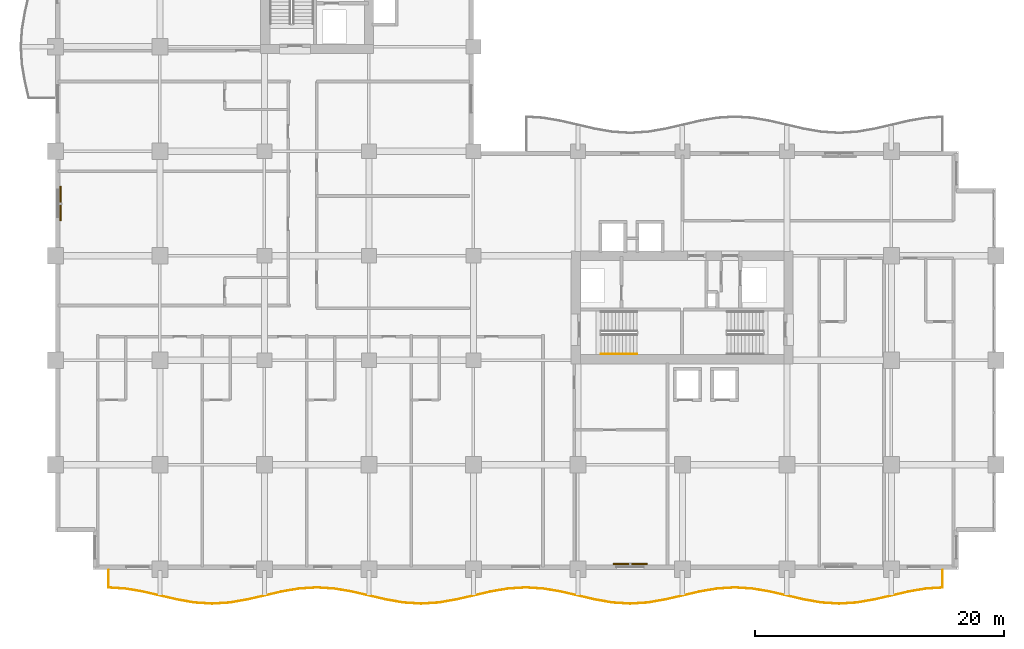
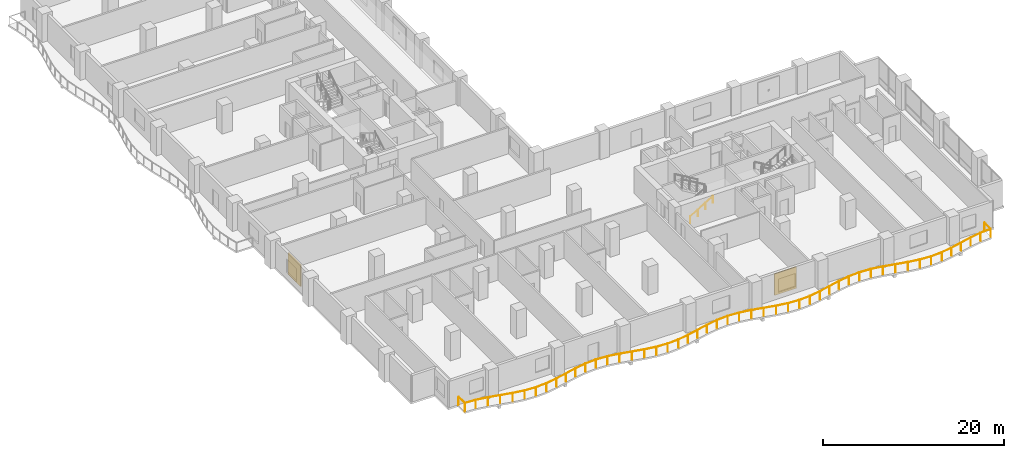
# One storey, part 21 of 24: 2 railings, 2 shading devices.
"""IFC4 building model written with IfcOpenShell, lengths in metres."""

from ifc_helpers import new_model, si_unit, direction, frame, origin, origin_2d, place, context, subcontext, project, spatial, rectangle, circle, extrude, material, layer, layer_set, type_object, element, save


model = new_model("IFC4")

# Units and contexts
model_context = context("Model", 3, precision=1e-05, world=origin(), true_north=direction((0.0, 1.0)))
body_context = subcontext(model_context, "Body", "Model", "MODEL_VIEW")
ifc_project = project(units=[si_unit("LENGTHUNIT", "METRE"), si_unit("AREAUNIT", "SQUARE_METRE"), si_unit("VOLUMEUNIT", "CUBIC_METRE"), si_unit("PLANEANGLEUNIT", "RADIAN"), si_unit("MASSUNIT", "GRAM", prefix="KILO")], contexts=[model_context])

# Site, building, storey
site_placement = place(None, origin())
site = spatial("IfcSite", under=ifc_project, at=site_placement, CompositionType="ELEMENT")
building_placement = place(site_placement, origin())
building = spatial("IfcBuilding", under=site, at=building_placement, Name="Koriwani Terraces Tower", CompositionType="ELEMENT")
storey_placement = place(building_placement, frame((0.0, 0.0, 103.800048828125)))
storey = spatial("IfcBuildingStorey", under=building, at=storey_placement, Name="L24", CompositionType="ELEMENT", Elevation=103.800048828125)

# Railings
ifc_material_1 = material(Name="Steel ASTM A572 Grade 50", Category="steel")
railing_type_1 = type_object("IfcRailingType", Name="GUARD_BALUSTRADE_1150", PredefinedType="BALUSTRADE", material=ifc_material_1)
railing_1_placement = place(storey_placement, frame((4.280029296875, -0.080078125, 0.0)))
element("IfcRailing", 1, at=railing_1_placement, inside=storey, type_object=railing_type_1, Name="L24 Balcony Perimeter Safety Balustrade (S)", PredefinedType="BALUSTRADE", context=body_context, shape_type="SweptSolid", body=[
    extrude(circle(Radius=0.02392578125, at=origin_2d()), frame((0.0, 0.0, 1.1259765625), z_axis=(0.0, -1.0, 0.0), x_axis=(1.0, 0.0, 0.0)), (0.0, 0.0, 1.0), 1.394775390625),
    extrude(circle(Radius=0.02392578125, at=origin_2d()), frame((0.0, -1.394775390625, 1.1259765625), z_axis=(0.998066819565, -0.062150009521, 0.0), x_axis=(0.062150009521, 0.998066819565, 0.0)), (0.0, 0.0, 1.0), 1.331787109375),
    extrude(circle(Radius=0.02392578125, at=origin_2d()), frame((1.3291015625, -1.4775390625, 1.1259765625), z_axis=(0.985866306337, -0.167533954852, 0.0), x_axis=(0.167533954852, 0.985866306337, 0.0)), (0.0, 0.0, 1.0), 1.4267578125),
    extrude(circle(Radius=0.02392578125, at=origin_2d()), frame((2.735595703125, -1.716552734375, 1.1259765625), z_axis=(0.974109892753, -0.226075024805, 0.0), x_axis=(0.226075024805, 0.974109892753, 0.0)), (0.0, 0.0, 1.0), 2.874755859375),
    extrude(circle(Radius=0.02392578125, at=origin_2d()), frame((5.535888671875, -2.366455078125, 1.1259765625), z_axis=(0.985861269125, -0.167563594016, 0.0), x_axis=(0.167563594016, 0.985861269125, 0.0)), (0.0, 0.0, 1.0), 1.413330078125),
    extrude(circle(Radius=0.02392578125, at=origin_2d()), frame((6.92919921875, -2.603271484375, 1.1259765625), z_axis=(0.998075009192, -0.062018352335, 0.0), x_axis=(0.062018352335, 0.998075009192, 0.0)), (0.0, 0.0, 1.0), 1.3935546875),
    extrude(circle(Radius=0.02392578125, at=origin_2d()), frame((8.320068359375, -2.689697265625, 1.1259765625), z_axis=(0.998074335174, 0.062029198499, 0.0), x_axis=(-0.062029198499, 0.998074335174, 0.0)), (0.0, 0.0, 1.0), 1.393310546875),
    extrude(circle(Radius=0.02392578125, at=origin_2d()), frame((9.710693359375, -2.603271484375, 1.1259765625), z_axis=(0.985866118171, 0.167535062128, 0.0), x_axis=(-0.167535062128, 0.985866118171, 0.0)), (0.0, 0.0, 1.0), 1.41357421875),
    extrude(circle(Radius=0.02392578125, at=origin_2d()), frame((11.104248046875, -2.366455078125, 1.1259765625), z_axis=(0.974105551615, 0.226093729043, 0.0), x_axis=(-0.226093729043, 0.974105551615, 0.0)), (0.0, 0.0, 1.0), 2.87451171875),
    extrude(circle(Radius=0.02392578125, at=origin_2d()), frame((13.904296875, -1.716552734375, 1.1259765625), z_axis=(0.985866306337, 0.167533954852, 0.0), x_axis=(-0.167533954852, 0.985866306337, 0.0)), (0.0, 0.0, 1.0), 1.4267578125),
    extrude(circle(Radius=0.02392578125, at=origin_2d()), frame((15.310791015625, -1.4775390625, 1.1259765625), z_axis=(0.9980820707, 0.061904605217, 0.0), x_axis=(-0.061904605217, 0.9980820707, 0.0)), (0.0, 0.0, 1.0), 1.411865234375),
    extrude(circle(Radius=0.02392578125, at=origin_2d()), frame((16.719970703125, -1.39013671875, 1.1259765625), z_axis=(0.9980820707, -0.061904605217, 0.0), x_axis=(0.061904605217, 0.9980820707, 0.0)), (0.0, 0.0, 1.0), 1.411865234375),
    extrude(circle(Radius=0.02392578125, at=origin_2d()), frame((18.129150390625, -1.4775390625, 1.1259765625), z_axis=(0.985866306337, -0.167533954852, 0.0), x_axis=(0.167533954852, 0.985866306337, 0.0)), (0.0, 0.0, 1.0), 1.4267578125),
    extrude(circle(Radius=0.02392578125, at=origin_2d()), frame((19.53564453125, -1.716552734375, 1.1259765625), z_axis=(0.974105551615, -0.226093729043, 0.0), x_axis=(0.226093729043, 0.974105551615, 0.0)), (0.0, 0.0, 1.0), 2.87451171875),
    extrude(circle(Radius=0.02392578125, at=origin_2d()), frame((22.335693359375, -2.366455078125, 1.1259765625), z_axis=(0.985866118171, -0.167535062128, 0.0), x_axis=(0.167535062128, 0.985866118171, 0.0)), (0.0, 0.0, 1.0), 1.41357421875),
    extrude(circle(Radius=0.02392578125, at=origin_2d()), frame((23.729248046875, -2.603271484375, 1.1259765625), z_axis=(0.998074335174, -0.062029198499, 0.0), x_axis=(0.062029198499, 0.998074335174, 0.0)), (0.0, 0.0, 1.0), 1.393310546875),
    extrude(circle(Radius=0.02392578125, at=origin_2d()), frame((25.119873046875, -2.689697265625, 1.1259765625), z_axis=(0.998075009192, 0.062018352335, 0.0), x_axis=(-0.062018352335, 0.998075009192, 0.0)), (0.0, 0.0, 1.0), 1.3935546875),
    extrude(circle(Radius=0.02392578125, at=origin_2d()), frame((26.5107421875, -2.603271484375, 1.1259765625), z_axis=(0.985861269125, 0.167563594016, 0.0), x_axis=(-0.167563594016, 0.985861269125, 0.0)), (0.0, 0.0, 1.0), 1.413330078125),
    extrude(circle(Radius=0.02392578125, at=origin_2d()), frame((27.904052734375, -2.366455078125, 1.1259765625), z_axis=(0.974109892753, 0.226075024805, 0.0), x_axis=(-0.226075024805, 0.974109892753, 0.0)), (0.0, 0.0, 1.0), 2.874755859375),
    extrude(circle(Radius=0.02392578125, at=origin_2d()), frame((30.704345703125, -1.716552734375, 1.1259765625), z_axis=(0.985866306337, 0.167533954852, 0.0), x_axis=(-0.167533954852, 0.985866306337, 0.0)), (0.0, 0.0, 1.0), 1.4267578125),
    extrude(circle(Radius=0.02392578125, at=origin_2d()), frame((32.11083984375, -1.4775390625, 1.1259765625), z_axis=(0.9980820707, 0.061904605217, 0.0), x_axis=(-0.061904605217, 0.9980820707, 0.0)), (0.0, 0.0, 1.0), 1.411865234375),
    extrude(circle(Radius=0.02392578125, at=origin_2d()), frame((33.52001953125, -1.39013671875, 1.1259765625), z_axis=(0.9980820707, -0.061904605217, 0.0), x_axis=(0.061904605217, 0.9980820707, 0.0)), (0.0, 0.0, 1.0), 1.411865234375),
    extrude(circle(Radius=0.02392578125, at=origin_2d()), frame((34.92919921875, -1.4775390625, 1.1259765625), z_axis=(0.985866306337, -0.167533954852, 0.0), x_axis=(0.167533954852, 0.985866306337, 0.0)), (0.0, 0.0, 1.0), 1.4267578125),
    extrude(circle(Radius=0.02392578125, at=origin_2d()), frame((36.335693359375, -1.716552734375, 1.1259765625), z_axis=(0.974105551615, -0.226093729043, 0.0), x_axis=(0.226093729043, 0.974105551615, 0.0)), (0.0, 0.0, 1.0), 2.87451171875),
    extrude(circle(Radius=0.02392578125, at=origin_2d()), frame((39.1357421875, -2.366455078125, 1.1259765625), z_axis=(0.985861269125, -0.167563594016, 0.0), x_axis=(0.167563594016, 0.985861269125, 0.0)), (0.0, 0.0, 1.0), 1.413330078125),
    extrude(circle(Radius=0.02392578125, at=origin_2d()), frame((40.529052734375, -2.603271484375, 1.1259765625), z_axis=(0.998075009192, -0.062018352335, 0.0), x_axis=(0.062018352335, 0.998075009192, 0.0)), (0.0, 0.0, 1.0), 1.3935546875),
    extrude(circle(Radius=0.02392578125, at=origin_2d()), frame((41.919921875, -2.689697265625, 1.1259765625), z_axis=(0.998075009192, 0.062018352335, 0.0), x_axis=(-0.062018352335, 0.998075009192, 0.0)), (0.0, 0.0, 1.0), 1.3935546875),
    extrude(circle(Radius=0.02392578125, at=origin_2d()), frame((43.310791015625, -2.603271484375, 1.1259765625), z_axis=(0.985861269125, 0.167563594016, 0.0), x_axis=(-0.167563594016, 0.985861269125, 0.0)), (0.0, 0.0, 1.0), 1.413330078125),
    extrude(circle(Radius=0.02392578125, at=origin_2d()), frame((44.7041015625, -2.366455078125, 1.1259765625), z_axis=(0.974105551615, 0.226093729043, 0.0), x_axis=(-0.226093729043, 0.974105551615, 0.0)), (0.0, 0.0, 1.0), 2.87451171875),
    extrude(circle(Radius=0.02392578125, at=origin_2d()), frame((47.504150390625, -1.716552734375, 1.1259765625), z_axis=(0.985871108269, 0.16750569507, 0.0), x_axis=(-0.16750569507, 0.985871108269, 0.0)), (0.0, 0.0, 1.0), 1.427001953125),
    extrude(circle(Radius=0.02392578125, at=origin_2d()), frame((48.910888671875, -1.4775390625, 1.1259765625), z_axis=(0.9980820707, 0.061904605217, 0.0), x_axis=(-0.061904605217, 0.9980820707, 0.0)), (0.0, 0.0, 1.0), 1.411865234375),
    extrude(circle(Radius=0.02392578125, at=origin_2d()), frame((50.320068359375, -1.39013671875, 1.1259765625), z_axis=(0.9980820707, -0.061904605217, 0.0), x_axis=(0.061904605217, 0.9980820707, 0.0)), (0.0, 0.0, 1.0), 1.411865234375),
    extrude(circle(Radius=0.02392578125, at=origin_2d()), frame((51.729248046875, -1.4775390625, 1.1259765625), z_axis=(0.985866306337, -0.167533954852, 0.0), x_axis=(0.167533954852, 0.985866306337, 0.0)), (0.0, 0.0, 1.0), 1.4267578125),
    extrude(circle(Radius=0.02392578125, at=origin_2d()), frame((53.1357421875, -1.716552734375, 1.1259765625), z_axis=(0.974105551615, -0.226093729043, 0.0), x_axis=(0.226093729043, 0.974105551615, 0.0)), (0.0, 0.0, 1.0), 2.87451171875),
    extrude(circle(Radius=0.02392578125, at=origin_2d()), frame((55.935791015625, -2.366455078125, 1.1259765625), z_axis=(0.985861269125, -0.167563594016, 0.0), x_axis=(0.167563594016, 0.985861269125, 0.0)), (0.0, 0.0, 1.0), 1.413330078125),
    extrude(circle(Radius=0.02392578125, at=origin_2d()), frame((57.3291015625, -2.603271484375, 1.1259765625), z_axis=(0.998075009192, -0.062018352335, 0.0), x_axis=(0.062018352335, 0.998075009192, 0.0)), (0.0, 0.0, 1.0), 1.3935546875),
    extrude(circle(Radius=0.02392578125, at=origin_2d()), frame((58.719970703125, -2.689697265625, 1.1259765625), z_axis=(0.998075009192, 0.062018352335, 0.0), x_axis=(-0.062018352335, 0.998075009192, 0.0)), (0.0, 0.0, 1.0), 1.3935546875),
    extrude(circle(Radius=0.02392578125, at=origin_2d()), frame((60.11083984375, -2.603271484375, 1.1259765625), z_axis=(0.985861269125, 0.167563594016, 0.0), x_axis=(-0.167563594016, 0.985861269125, 0.0)), (0.0, 0.0, 1.0), 1.413330078125),
    extrude(circle(Radius=0.02392578125, at=origin_2d()), frame((61.504150390625, -2.366455078125, 1.1259765625), z_axis=(0.974105551615, 0.226093729043, 0.0), x_axis=(-0.226093729043, 0.974105551615, 0.0)), (0.0, 0.0, 1.0), 2.87451171875),
    extrude(circle(Radius=0.02392578125, at=origin_2d()), frame((64.30419921875, -1.716552734375, 1.1259765625), z_axis=(0.985866306337, 0.167533954852, 0.0), x_axis=(-0.167533954852, 0.985866306337, 0.0)), (0.0, 0.0, 1.0), 1.4267578125),
    extrude(circle(Radius=0.02392578125, at=origin_2d()), frame((65.710693359375, -1.4775390625, 1.1259765625), z_axis=(0.998067527518, 0.062138639454, 0.0), x_axis=(-0.062138639454, 0.998067527518, 0.0)), (0.0, 0.0, 1.0), 1.33203125),
    extrude(circle(Radius=0.02392578125, at=origin_2d()), frame((67.0400390625, -1.394775390625, 1.1259765625), z_axis=(0.0, 1.0, 0.0), x_axis=(-1.0, 0.0, 0.0)), (0.0, 0.0, 1.0), 1.394775390625),
    extrude(circle(Radius=0.02099609375, at=origin_2d()), origin(), (0.0, 0.0, 1.0), 1.101806640625),
    extrude(circle(Radius=0.02099609375, at=origin_2d()), frame((0.0, -1.394775390625, 0.0)), (0.0, 0.0, 1.0), 1.101806640625),
    extrude(circle(Radius=0.02099609375, at=origin_2d()), frame((1.3291015625, -1.4775390625, 0.0)), (0.0, 0.0, 1.0), 1.101806640625),
    extrude(circle(Radius=0.02099609375, at=origin_2d()), frame((2.735595703125, -1.716552734375, 0.0)), (0.0, 0.0, 1.0), 1.101806640625),
    extrude(circle(Radius=0.02099609375, at=origin_2d()), frame((4.1357421875, -2.04150390625, 0.0)), (0.0, 0.0, 1.0), 1.101806640625),
    extrude(circle(Radius=0.02099609375, at=origin_2d()), frame((5.535888671875, -2.366455078125, 0.0)), (0.0, 0.0, 1.0), 1.101806640625),
    extrude(circle(Radius=0.02099609375, at=origin_2d()), frame((6.92919921875, -2.603271484375, 0.0)), (0.0, 0.0, 1.0), 1.101806640625),
    extrude(circle(Radius=0.02099609375, at=origin_2d()), frame((8.320068359375, -2.689697265625, 0.0)), (0.0, 0.0, 1.0), 1.101806640625),
    extrude(circle(Radius=0.02099609375, at=origin_2d()), frame((9.710693359375, -2.603271484375, 0.0)), (0.0, 0.0, 1.0), 1.101806640625),
    extrude(circle(Radius=0.02099609375, at=origin_2d()), frame((11.104248046875, -2.366455078125, 0.0)), (0.0, 0.0, 1.0), 1.101806640625),
    extrude(circle(Radius=0.02099609375, at=origin_2d()), frame((12.50439453125, -2.04150390625, 0.0)), (0.0, 0.0, 1.0), 1.101806640625),
    extrude(circle(Radius=0.02099609375, at=origin_2d()), frame((13.904296875, -1.716552734375, 0.0)), (0.0, 0.0, 1.0), 1.101806640625),
    extrude(circle(Radius=0.02099609375, at=origin_2d()), frame((15.310791015625, -1.4775390625, 0.0)), (0.0, 0.0, 1.0), 1.101806640625),
    extrude(circle(Radius=0.02099609375, at=origin_2d()), frame((16.719970703125, -1.39013671875, 0.0)), (0.0, 0.0, 1.0), 1.101806640625),
    extrude(circle(Radius=0.02099609375, at=origin_2d()), frame((18.129150390625, -1.4775390625, 0.0)), (0.0, 0.0, 1.0), 1.101806640625),
    extrude(circle(Radius=0.02099609375, at=origin_2d()), frame((19.53564453125, -1.716552734375, 0.0)), (0.0, 0.0, 1.0), 1.101806640625),
    extrude(circle(Radius=0.02099609375, at=origin_2d()), frame((20.935546875, -2.04150390625, 0.0)), (0.0, 0.0, 1.0), 1.101806640625),
    extrude(circle(Radius=0.02099609375, at=origin_2d()), frame((22.335693359375, -2.366455078125, 0.0)), (0.0, 0.0, 1.0), 1.101806640625),
    extrude(circle(Radius=0.02099609375, at=origin_2d()), frame((23.729248046875, -2.603271484375, 0.0)), (0.0, 0.0, 1.0), 1.101806640625),
    extrude(circle(Radius=0.02099609375, at=origin_2d()), frame((25.119873046875, -2.689697265625, 0.0)), (0.0, 0.0, 1.0), 1.101806640625),
    extrude(circle(Radius=0.02099609375, at=origin_2d()), frame((26.5107421875, -2.603271484375, 0.0)), (0.0, 0.0, 1.0), 1.101806640625),
    extrude(circle(Radius=0.02099609375, at=origin_2d()), frame((27.904052734375, -2.366455078125, 0.0)), (0.0, 0.0, 1.0), 1.101806640625),
    extrude(circle(Radius=0.02099609375, at=origin_2d()), frame((29.30419921875, -2.04150390625, 0.0)), (0.0, 0.0, 1.0), 1.101806640625),
    extrude(circle(Radius=0.02099609375, at=origin_2d()), frame((30.704345703125, -1.716552734375, 0.0)), (0.0, 0.0, 1.0), 1.101806640625),
    extrude(circle(Radius=0.02099609375, at=origin_2d()), frame((32.11083984375, -1.4775390625, 0.0)), (0.0, 0.0, 1.0), 1.101806640625),
    extrude(circle(Radius=0.02099609375, at=origin_2d()), frame((33.52001953125, -1.39013671875, 0.0)), (0.0, 0.0, 1.0), 1.101806640625),
    extrude(circle(Radius=0.02099609375, at=origin_2d()), frame((34.92919921875, -1.4775390625, 0.0)), (0.0, 0.0, 1.0), 1.101806640625),
    extrude(circle(Radius=0.02099609375, at=origin_2d()), frame((36.335693359375, -1.716552734375, 0.0)), (0.0, 0.0, 1.0), 1.101806640625),
    extrude(circle(Radius=0.02099609375, at=origin_2d()), frame((37.73583984375, -2.04150390625, 0.0)), (0.0, 0.0, 1.0), 1.101806640625),
    extrude(circle(Radius=0.02099609375, at=origin_2d()), frame((39.1357421875, -2.366455078125, 0.0)), (0.0, 0.0, 1.0), 1.101806640625),
    extrude(circle(Radius=0.02099609375, at=origin_2d()), frame((40.529052734375, -2.603271484375, 0.0)), (0.0, 0.0, 1.0), 1.101806640625),
    extrude(circle(Radius=0.02099609375, at=origin_2d()), frame((41.919921875, -2.689697265625, 0.0)), (0.0, 0.0, 1.0), 1.101806640625),
    extrude(circle(Radius=0.02099609375, at=origin_2d()), frame((43.310791015625, -2.603271484375, 0.0)), (0.0, 0.0, 1.0), 1.101806640625),
    extrude(circle(Radius=0.02099609375, at=origin_2d()), frame((44.7041015625, -2.366455078125, 0.0)), (0.0, 0.0, 1.0), 1.101806640625),
    extrude(circle(Radius=0.02099609375, at=origin_2d()), frame((46.10400390625, -2.04150390625, 0.0)), (0.0, 0.0, 1.0), 1.101806640625),
    extrude(circle(Radius=0.02099609375, at=origin_2d()), frame((47.504150390625, -1.716552734375, 0.0)), (0.0, 0.0, 1.0), 1.101806640625),
    extrude(circle(Radius=0.02099609375, at=origin_2d()), frame((48.910888671875, -1.4775390625, 0.0)), (0.0, 0.0, 1.0), 1.101806640625),
    extrude(circle(Radius=0.02099609375, at=origin_2d()), frame((50.320068359375, -1.39013671875, 0.0)), (0.0, 0.0, 1.0), 1.101806640625),
    extrude(circle(Radius=0.02099609375, at=origin_2d()), frame((51.729248046875, -1.4775390625, 0.0)), (0.0, 0.0, 1.0), 1.101806640625),
    extrude(circle(Radius=0.02099609375, at=origin_2d()), frame((53.1357421875, -1.716552734375, 0.0)), (0.0, 0.0, 1.0), 1.101806640625),
    extrude(circle(Radius=0.02099609375, at=origin_2d()), frame((54.53564453125, -2.04150390625, 0.0)), (0.0, 0.0, 1.0), 1.101806640625),
    extrude(circle(Radius=0.02099609375, at=origin_2d()), frame((55.935791015625, -2.366455078125, 0.0)), (0.0, 0.0, 1.0), 1.101806640625),
    extrude(circle(Radius=0.02099609375, at=origin_2d()), frame((57.3291015625, -2.603271484375, 0.0)), (0.0, 0.0, 1.0), 1.101806640625),
    extrude(circle(Radius=0.02099609375, at=origin_2d()), frame((58.719970703125, -2.689697265625, 0.0)), (0.0, 0.0, 1.0), 1.101806640625),
    extrude(circle(Radius=0.02099609375, at=origin_2d()), frame((60.11083984375, -2.603271484375, 0.0)), (0.0, 0.0, 1.0), 1.101806640625),
    extrude(circle(Radius=0.02099609375, at=origin_2d()), frame((61.504150390625, -2.366455078125, 0.0)), (0.0, 0.0, 1.0), 1.101806640625),
    extrude(circle(Radius=0.02099609375, at=origin_2d()), frame((62.904296875, -2.04150390625, 0.0)), (0.0, 0.0, 1.0), 1.101806640625),
    extrude(circle(Radius=0.02099609375, at=origin_2d()), frame((64.30419921875, -1.716552734375, 0.0)), (0.0, 0.0, 1.0), 1.101806640625),
    extrude(circle(Radius=0.02099609375, at=origin_2d()), frame((65.710693359375, -1.4775390625, 0.0)), (0.0, 0.0, 1.0), 1.101806640625),
    extrude(circle(Radius=0.02099609375, at=origin_2d()), frame((67.0400390625, -1.394775390625, 0.0)), (0.0, 0.0, 1.0), 1.101806640625),
    extrude(circle(Radius=0.02099609375, at=origin_2d()), frame((67.0400390625, 0.0, 0.0)), (0.0, 0.0, 1.0), 1.101806640625),
])
railing_type_2 = type_object("IfcRailingType", Name="HANDRAIL_STAIR_920", PredefinedType="HANDRAIL", material=ifc_material_1)
railing_2_placement = place(storey_placement, frame((43.85009765625, 17.300048828125, 0.172607421875)))
element("IfcRailing", 2, at=railing_2_placement, inside=storey, type_object=railing_type_2, Name="L24 ST-E1 stair handrail 1", PredefinedType="HANDRAIL", context=body_context, shape_type="SweptSolid", body=[
    extrude(circle(Radius=0.02392578125, at=origin_2d()), frame((0.0, 0.0, 0.8759765625), z_axis=(0.859141464434, 0.0, 0.511738159696), x_axis=(0.0, 1.0, 0.0)), (0.0, 0.0, 1.0), 3.375244140625),
    extrude(circle(Radius=0.02099609375, at=origin_2d()), origin(), (0.0, 0.0, 1.0), 0.851806640625),
    extrude(circle(Radius=0.02099609375, at=origin_2d()), frame((0.966552734375, 0.0, 0.57568359375)), (0.0, 0.0, 1.0), 0.851806640625),
    extrude(circle(Radius=0.02099609375, at=origin_2d()), frame((1.933349609375, 0.0, 1.151611328125)), (0.0, 0.0, 1.0), 0.851806640625),
    extrude(circle(Radius=0.02099609375, at=origin_2d()), frame((2.89990234375, 0.0, 1.727294921875)), (0.0, 0.0, 1.0), 0.851806640625),
])

# Shading devices
ifc_material_2 = material(Name="Extruded Terracotta Clay", Category="masonry")
ifc_layer = layer(ifc_material_2, 0.1201171875, Name="Extruded Terracotta Clay")
ifc_layer_set = layer_set([ifc_layer], Name="Extruded Terracotta Clay")
shading_device_type = type_object("IfcShadingDeviceType", Name="TERRACOTTA_BAGUETTE_SCREEN_2800", PredefinedType="USERDEFINED", material=ifc_layer_set)
for number, where, z_axis, x_axis, name in (
    (3, (0.405029296875, 29.39990234375, 0.324951171875), (0.0, 0.0, 1.0), (0.0, 1.0, 0.0), "L24 Extruded Terracotta Baguette Screen (W-9)"),
    (4, (46.199951171875, 0.405029296875, 0.324951171875), (0.0, 0.0, 1.0), (-1.0, 0.0, 0.0), "L24 Extruded Terracotta Baguette Screen (S-15)"),
):
    element("IfcShadingDevice", number, at=place(storey_placement, frame(where, z_axis=z_axis, x_axis=x_axis)), inside=storey, type_object=shading_device_type, Name=name, ObjectType="BAGUETTE", PredefinedType="USERDEFINED", context=body_context, shape_type="SweptSolid", body=[
        extrude(rectangle(XDim=2.760009765625, YDim=0.1201171875, at=origin_2d()), origin(), (0.0, 0.0, 1.0), 2.89990234375),
    ])

save(model, "model.ifc")
